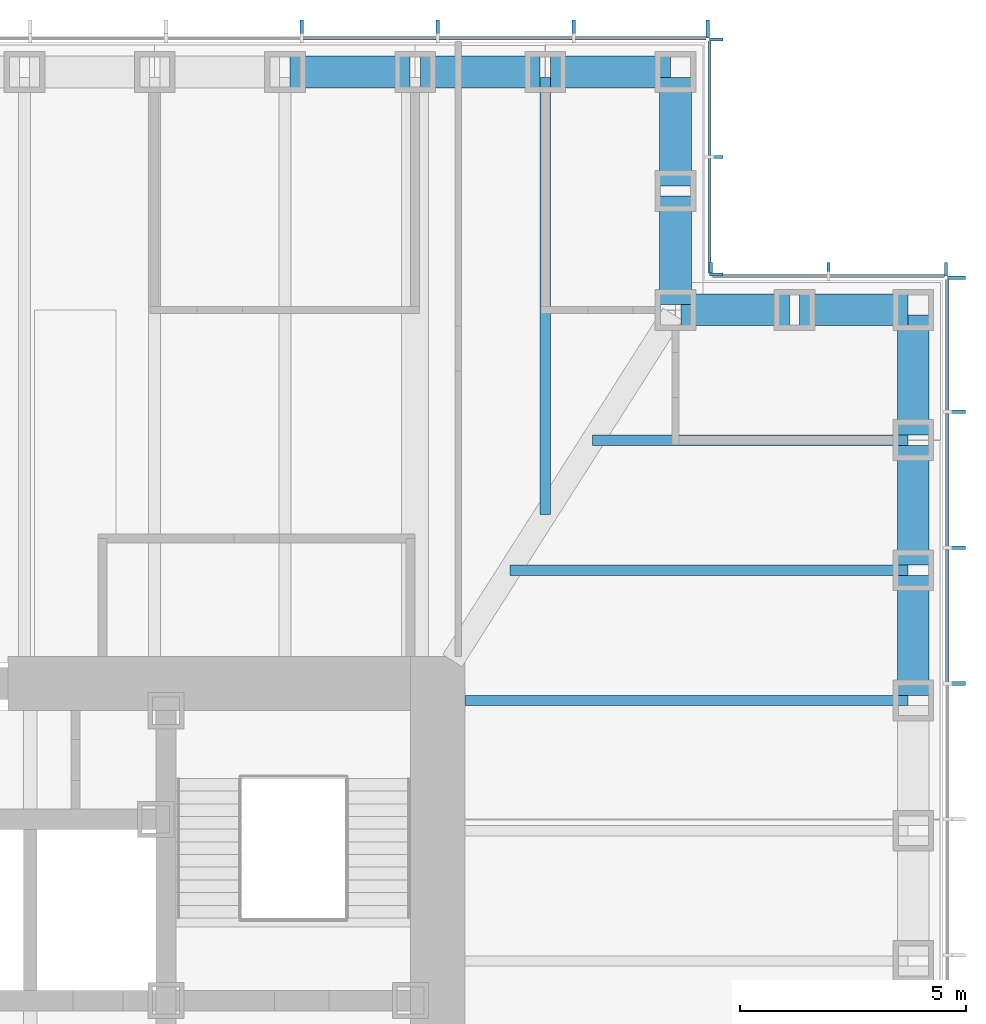
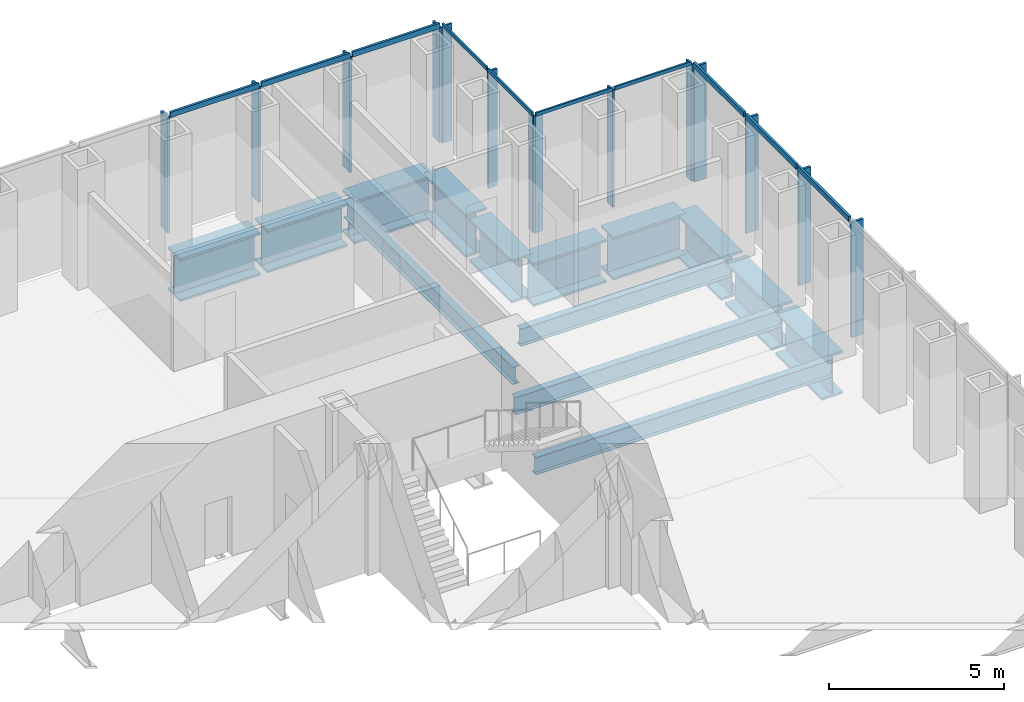
# One storey, part 6 of 17: 24 members, 14 beams, 4 elements without a shape of their own.
"""IFC4 building model written with IfcOpenShell, lengths in metres."""

from ifc_helpers import new_model, si_unit, direction, frame, origin, origin_2d, place, context, subcontext, project, spatial, rectangle, i_section, extrude, material, material_profile, profile_set, type_object, element, aggregate, save


model = new_model("IFC4")

# Units and contexts
model_context = context("Model", 3, precision=1e-05, world=origin(), true_north=direction((0.0, 1.0)))
body_context = subcontext(model_context, "Body", "Model", "MODEL_VIEW")
ifc_project = project(units=[si_unit("LENGTHUNIT", "METRE"), si_unit("AREAUNIT", "SQUARE_METRE"), si_unit("VOLUMEUNIT", "CUBIC_METRE"), si_unit("PLANEANGLEUNIT", "RADIAN"), si_unit("MASSUNIT", "GRAM", prefix="KILO")], contexts=[model_context])

# Site, building, storey
site_placement = place(None, origin())
site = spatial("IfcSite", under=ifc_project, at=site_placement, CompositionType="ELEMENT")
building_placement = place(site_placement, origin())
building = spatial("IfcBuilding", under=site, at=building_placement, Name="Daluyong Arena Tower", CompositionType="ELEMENT")
storey_placement = place(building_placement, frame((0.0, 0.0, 145.89990234375)))
storey = spatial("IfcBuildingStorey", under=building, at=storey_placement, Name="L32", CompositionType="ELEMENT", Elevation=145.89990234375)

# Curtain wall, members
ifc_material_1 = material(Name="Bronze anodised aluminium and glass", Category="aluminium")
curtain_wall_type_1 = type_object("IfcCurtainWallType", Name="Curtain wall CW2", PredefinedType="USERDEFINED", material=ifc_material_1)
curtain_wall_1_placement = place(storey_placement, origin())
curtain_wall_1 = element("IfcCurtainWall", 1, at=curtain_wall_1_placement, inside=storey, type_object=curtain_wall_type_1, Name="curtain wall L32 E", ObjectType="UNITISED CURTAIN WALL", PredefinedType="USERDEFINED")
ifc_material_2 = material(Name="Bronze anodised aluminium fin", Category="aluminium")
ifc_material_profile_1 = material_profile(ifc_material_2, rectangle(XDim=0.39990234375, YDim=0.080078125, at=origin_2d()))
ifc_profile_set_1 = profile_set([ifc_material_profile_1], Name="Bronze anodised aluminium fin")
member_type_1 = type_object("IfcMemberType", Name="CW2 bronze fin 400x80", PredefinedType="MULLION", material=ifc_profile_set_1)
member_1_placement = place(storey_placement, frame((79.449951171875, 89.0, 0.0), z_axis=(0.0, 0.0, 1.0), x_axis=(-1.0, 0.0, 0.0)))
member_1 = element("IfcMember", 2, at=member_1_placement, type_object=member_type_1, Name="curtain wall L32 E fin 10", PredefinedType="MULLION", context=body_context, shape_type="SweptSolid", body=[
    extrude(rectangle(XDim=0.39990234375, YDim=0.080078125, at=origin_2d()), origin(), (0.0, 0.0, 1.0), 4.02001953125),
])
member_2_placement = place(storey_placement, frame((79.449951171875, 92.0, 0.0), z_axis=(0.0, 0.0, 1.0), x_axis=(-1.0, 0.0, 0.0)))
member_2 = element("IfcMember", 3, at=member_2_placement, type_object=member_type_1, Name="curtain wall L32 E fin 11", PredefinedType="MULLION", context=body_context, shape_type="SweptSolid", body=[
    extrude(rectangle(XDim=0.39990234375, YDim=0.080078125, at=origin_2d()), origin(), (0.0, 0.0, 1.0), 4.02001953125),
])
member_3_placement = place(storey_placement, frame((79.449951171875, 95.0, 0.0), z_axis=(0.0, 0.0, 1.0), x_axis=(-1.0, 0.0, 0.0)))
member_3 = element("IfcMember", 4, at=member_3_placement, type_object=member_type_1, Name="curtain wall L32 E fin 12", PredefinedType="MULLION", context=body_context, shape_type="SweptSolid", body=[
    extrude(rectangle(XDim=0.39990234375, YDim=0.080078125, at=origin_2d()), origin(), (0.0, 0.0, 1.0), 4.02001953125),
])
member_4_placement = place(storey_placement, frame((79.449951171875, 97.9599609375, 0.0), z_axis=(0.0, 0.0, 1.0), x_axis=(-1.0, 0.0, 0.0)))
member_4 = element("IfcMember", 5, at=member_4_placement, type_object=member_type_1, Name="curtain wall L32 E fin 13", PredefinedType="MULLION", context=body_context, shape_type="SweptSolid", body=[
    extrude(rectangle(XDim=0.39990234375, YDim=0.080078125, at=origin_2d()), origin(), (0.0, 0.0, 1.0), 4.02001953125),
])

curtain_wall_2_placement = place(storey_placement, origin())
curtain_wall_2 = element("IfcCurtainWall", 6, at=curtain_wall_2_placement, inside=storey, type_object=curtain_wall_type_1, Name="curtain wall L32 N", ObjectType="UNITISED CURTAIN WALL", PredefinedType="USERDEFINED")
member_5_placement = place(storey_placement, frame((73.9599609375, 103.449951171875, 0.0), z_axis=(0.0, 0.0, 1.0), x_axis=(0.0, -1.0, 0.0)))
member_5 = element("IfcMember", 7, at=member_5_placement, type_object=member_type_1, Name="curtain wall L32 N fin 1", PredefinedType="MULLION", context=body_context, shape_type="SweptSolid", body=[
    extrude(rectangle(XDim=0.39990234375, YDim=0.080078125, at=origin_2d()), origin(), (0.0, 0.0, 1.0), 4.02001953125),
])
member_6_placement = place(storey_placement, frame((71.0, 103.449951171875, 0.0), z_axis=(0.0, 0.0, 1.0), x_axis=(0.0, -1.0, 0.0)))
member_6 = element("IfcMember", 8, at=member_6_placement, type_object=member_type_1, Name="curtain wall L32 N fin 2", PredefinedType="MULLION", context=body_context, shape_type="SweptSolid", body=[
    extrude(rectangle(XDim=0.39990234375, YDim=0.080078125, at=origin_2d()), origin(), (0.0, 0.0, 1.0), 4.02001953125),
])
member_7_placement = place(storey_placement, frame((68.0, 103.449951171875, 0.0), z_axis=(0.0, 0.0, 1.0), x_axis=(0.0, -1.0, 0.0)))
member_7 = element("IfcMember", 9, at=member_7_placement, type_object=member_type_1, Name="curtain wall L32 N fin 3", PredefinedType="MULLION", context=body_context, shape_type="SweptSolid", body=[
    extrude(rectangle(XDim=0.39990234375, YDim=0.080078125, at=origin_2d()), origin(), (0.0, 0.0, 1.0), 4.02001953125),
])
member_8_placement = place(storey_placement, frame((65.0, 103.449951171875, 0.0), z_axis=(0.0, 0.0, 1.0), x_axis=(0.0, -1.0, 0.0)))
member_8 = element("IfcMember", 10, at=member_8_placement, type_object=member_type_1, Name="curtain wall L32 N fin 4", PredefinedType="MULLION", context=body_context, shape_type="SweptSolid", body=[
    extrude(rectangle(XDim=0.39990234375, YDim=0.080078125, at=origin_2d()), origin(), (0.0, 0.0, 1.0), 4.02001953125),
])

# Member
ifc_material_3 = material(Name="Bronze anodised aluminium", Category="aluminium")
ifc_material_profile_2 = material_profile(ifc_material_3, rectangle(XDim=0.080078125, YDim=0.179931640625, at=origin_2d()))
ifc_profile_set_2 = profile_set([ifc_material_profile_2], Name="Bronze anodised aluminium")
member_type_2 = type_object("IfcMemberType", Name="CW2 stack transom 180x80", PredefinedType="USERDEFINED", material=ifc_profile_set_2)
member_9_placement = place(storey_placement, frame((79.25, 89.0400390625, 4.110107421875), z_axis=(0.0, 1.0, 0.0), x_axis=(-1.0, 0.0, 0.0)))
member_9 = element("IfcMember", 11, at=member_9_placement, type_object=member_type_2, Name="curtain wall L32 E transom 10", ObjectType="TRANSOM", PredefinedType="USERDEFINED", context=body_context, shape_type="SweptSolid", body=[
    extrude(rectangle(XDim=0.080078125, YDim=0.179931640625, at=origin_2d()), origin(), (0.0, 0.0, 1.0), 2.919921875),
])

member_10_placement = place(storey_placement, frame((79.25, 92.0400390625, 4.110107421875), z_axis=(0.0, 1.0, 0.0), x_axis=(-1.0, 0.0, 0.0)))
member_10 = element("IfcMember", 12, at=member_10_placement, type_object=member_type_2, Name="curtain wall L32 E transom 11", ObjectType="TRANSOM", PredefinedType="USERDEFINED", context=body_context, shape_type="SweptSolid", body=[
    extrude(rectangle(XDim=0.080078125, YDim=0.179931640625, at=origin_2d()), origin(), (0.0, 0.0, 1.0), 2.919921875),
])

member_11_placement = place(storey_placement, frame((79.25, 95.0400390625, 4.110107421875), z_axis=(0.0, 1.0, 0.0), x_axis=(-1.0, 0.0, 0.0)))
member_11 = element("IfcMember", 13, at=member_11_placement, type_object=member_type_2, Name="curtain wall L32 E transom 12", ObjectType="TRANSOM", PredefinedType="USERDEFINED", context=body_context, shape_type="SweptSolid", body=[
    extrude(rectangle(XDim=0.080078125, YDim=0.179931640625, at=origin_2d()), origin(), (0.0, 0.0, 1.0), 2.8798828125),
])

aggregate(curtain_wall_1, [member_1, member_2, member_3, member_4, member_9, member_10, member_11])

member_12_placement = place(storey_placement, frame((73.919921875, 103.25, 4.110107421875), z_axis=(-1.0, 0.0, 0.0), x_axis=(0.0, -1.0, 0.0)))
member_12 = element("IfcMember", 14, at=member_12_placement, type_object=member_type_2, Name="curtain wall L32 N transom 1", ObjectType="TRANSOM", PredefinedType="USERDEFINED", context=body_context, shape_type="SweptSolid", body=[
    extrude(rectangle(XDim=0.080078125, YDim=0.179931640625, at=origin_2d()), origin(), (0.0, 0.0, 1.0), 2.8798828125),
])

member_13_placement = place(storey_placement, frame((70.9599609375, 103.25, 4.110107421875), z_axis=(-1.0, 0.0, 0.0), x_axis=(0.0, -1.0, 0.0)))
member_13 = element("IfcMember", 15, at=member_13_placement, type_object=member_type_2, Name="curtain wall L32 N transom 2", ObjectType="TRANSOM", PredefinedType="USERDEFINED", context=body_context, shape_type="SweptSolid", body=[
    extrude(rectangle(XDim=0.080078125, YDim=0.179931640625, at=origin_2d()), origin(), (0.0, 0.0, 1.0), 2.919921875),
])

member_14_placement = place(storey_placement, frame((67.9599609375, 103.25, 4.110107421875), z_axis=(-1.0, 0.0, 0.0), x_axis=(0.0, -1.0, 0.0)))
member_14 = element("IfcMember", 16, at=member_14_placement, type_object=member_type_2, Name="curtain wall L32 N transom 3", ObjectType="TRANSOM", PredefinedType="USERDEFINED", context=body_context, shape_type="SweptSolid", body=[
    extrude(rectangle(XDim=0.080078125, YDim=0.179931640625, at=origin_2d()), origin(), (0.0, 0.0, 1.0), 2.919921875),
])

aggregate(curtain_wall_2, [member_5, member_6, member_7, member_8, member_12, member_13, member_14])

# Curtain wall, members
ifc_material_4 = material(Name="Bronze anodised aluminium and glass", Category="aluminium")
curtain_wall_type_2 = type_object("IfcCurtainWallType", Name="Curtain wall CW7", PredefinedType="USERDEFINED", material=ifc_material_4)
curtain_wall_3_placement = place(storey_placement, origin())
curtain_wall_3 = element("IfcCurtainWall", 17, at=curtain_wall_3_placement, inside=storey, type_object=curtain_wall_type_2, Name="curtain wall L32 NE-N", ObjectType="UNITISED CURTAIN WALL", PredefinedType="USERDEFINED")
ifc_material_5 = material(Name="Bronze anodised aluminium fin", Category="aluminium")
ifc_material_profile_3 = material_profile(ifc_material_5, rectangle(XDim=0.300048828125, YDim=0.06005859375, at=origin_2d()))
ifc_profile_set_3 = profile_set([ifc_material_profile_3], Name="Bronze anodised aluminium fin")
member_type_3 = type_object("IfcMemberType", Name="CW7 bronze fin 300x60", PredefinedType="MULLION", material=ifc_profile_set_3)
member_15_placement = place(storey_placement, frame((79.219970703125, 98.14990234375, 0.0), z_axis=(0.0, 0.0, 1.0), x_axis=(0.0, -1.0, 0.0)))
member_15 = element("IfcMember", 18, at=member_15_placement, type_object=member_type_3, Name="curtain wall L32 NE-N fin 1", PredefinedType="MULLION", context=body_context, shape_type="SweptSolid", body=[
    extrude(rectangle(XDim=0.300048828125, YDim=0.06005859375, at=origin_2d()), origin(), (0.0, 0.0, 1.0), 4.080078125),
])
member_16_placement = place(storey_placement, frame((76.625, 98.14990234375, 0.0), z_axis=(0.0, 0.0, 1.0), x_axis=(0.0, -1.0, 0.0)))
member_16 = element("IfcMember", 19, at=member_16_placement, type_object=member_type_3, Name="curtain wall L32 NE-N fin 2", PredefinedType="MULLION", context=body_context, shape_type="SweptSolid", body=[
    extrude(rectangle(XDim=0.300048828125, YDim=0.06005859375, at=origin_2d()), origin(), (0.0, 0.0, 1.0), 4.080078125),
])
member_17_placement = place(storey_placement, frame((74.030029296875, 98.14990234375, 0.0), z_axis=(0.0, 0.0, 1.0), x_axis=(0.0, -1.0, 0.0)))
member_17 = element("IfcMember", 20, at=member_17_placement, type_object=member_type_3, Name="curtain wall L32 NE-N fin 3", PredefinedType="MULLION", context=body_context, shape_type="SweptSolid", body=[
    extrude(rectangle(XDim=0.300048828125, YDim=0.06005859375, at=origin_2d()), origin(), (0.0, 0.0, 1.0), 4.080078125),
])

curtain_wall_4_placement = place(storey_placement, origin())
curtain_wall_4 = element("IfcCurtainWall", 21, at=curtain_wall_4_placement, inside=storey, type_object=curtain_wall_type_2, Name="curtain wall L32 NE-E", ObjectType="UNITISED CURTAIN WALL", PredefinedType="USERDEFINED")
member_18_placement = place(storey_placement, frame((74.14990234375, 98.030029296875, 0.0), z_axis=(0.0, 0.0, 1.0), x_axis=(-1.0, 0.0, 0.0)))
member_18 = element("IfcMember", 22, at=member_18_placement, type_object=member_type_3, Name="curtain wall L32 NE-E fin 1", PredefinedType="MULLION", context=body_context, shape_type="SweptSolid", body=[
    extrude(rectangle(XDim=0.300048828125, YDim=0.06005859375, at=origin_2d()), origin(), (0.0, 0.0, 1.0), 4.080078125),
])
member_19_placement = place(storey_placement, frame((74.14990234375, 100.625, 0.0), z_axis=(0.0, 0.0, 1.0), x_axis=(-1.0, 0.0, 0.0)))
member_19 = element("IfcMember", 23, at=member_19_placement, type_object=member_type_3, Name="curtain wall L32 NE-E fin 2", PredefinedType="MULLION", context=body_context, shape_type="SweptSolid", body=[
    extrude(rectangle(XDim=0.300048828125, YDim=0.06005859375, at=origin_2d()), origin(), (0.0, 0.0, 1.0), 4.080078125),
])
member_20_placement = place(storey_placement, frame((74.14990234375, 103.219970703125, 0.0), z_axis=(0.0, 0.0, 1.0), x_axis=(-1.0, 0.0, 0.0)))
member_20 = element("IfcMember", 24, at=member_20_placement, type_object=member_type_3, Name="curtain wall L32 NE-E fin 3", PredefinedType="MULLION", context=body_context, shape_type="SweptSolid", body=[
    extrude(rectangle(XDim=0.300048828125, YDim=0.06005859375, at=origin_2d()), origin(), (0.0, 0.0, 1.0), 4.080078125),
])

# Member
ifc_material_6 = material(Name="Bronze anodised aluminium", Category="aluminium")
ifc_material_profile_4 = material_profile(ifc_material_6, rectangle(XDim=0.06005859375, YDim=0.1201171875, at=origin_2d()))
ifc_profile_set_4 = profile_set([ifc_material_profile_4], Name="Bronze anodised aluminium")
member_type_4 = type_object("IfcMemberType", Name="CW7 stack transom 120x60", PredefinedType="USERDEFINED", material=ifc_profile_set_4)
member_21_placement = place(storey_placement, frame((79.18994140625, 98.0, 4.14013671875), z_axis=(-1.0, 0.0, 0.0), x_axis=(0.0, -1.0, 0.0)))
member_21 = element("IfcMember", 25, at=member_21_placement, type_object=member_type_4, Name="curtain wall L32 NE-N transom 1", ObjectType="TRANSOM", PredefinedType="USERDEFINED", context=body_context, shape_type="SweptSolid", body=[
    extrude(rectangle(XDim=0.06005859375, YDim=0.1201171875, at=origin_2d()), origin(), (0.0, 0.0, 1.0), 2.534912109375),
])

member_22_placement = place(storey_placement, frame((76.594970703125, 98.0, 4.14013671875), z_axis=(-1.0, 0.0, 0.0), x_axis=(0.0, -1.0, 0.0)))
member_22 = element("IfcMember", 26, at=member_22_placement, type_object=member_type_4, Name="curtain wall L32 NE-N transom 2", ObjectType="TRANSOM", PredefinedType="USERDEFINED", context=body_context, shape_type="SweptSolid", body=[
    extrude(rectangle(XDim=0.06005859375, YDim=0.1201171875, at=origin_2d()), origin(), (0.0, 0.0, 1.0), 2.534912109375),
])

aggregate(curtain_wall_3, [member_15, member_16, member_17, member_21, member_22])

member_23_placement = place(storey_placement, frame((74.0, 98.06005859375, 4.14013671875), z_axis=(0.0, 1.0, 0.0), x_axis=(-1.0, 0.0, 0.0)))
member_23 = element("IfcMember", 27, at=member_23_placement, type_object=member_type_4, Name="curtain wall L32 NE-E transom 1", ObjectType="TRANSOM", PredefinedType="USERDEFINED", context=body_context, shape_type="SweptSolid", body=[
    extrude(rectangle(XDim=0.06005859375, YDim=0.1201171875, at=origin_2d()), origin(), (0.0, 0.0, 1.0), 2.534912109375),
])

member_24_placement = place(storey_placement, frame((74.0, 100.655029296875, 4.14013671875), z_axis=(0.0, 1.0, 0.0), x_axis=(-1.0, 0.0, 0.0)))
member_24 = element("IfcMember", 28, at=member_24_placement, type_object=member_type_4, Name="curtain wall L32 NE-E transom 2", ObjectType="TRANSOM", PredefinedType="USERDEFINED", context=body_context, shape_type="SweptSolid", body=[
    extrude(rectangle(XDim=0.06005859375, YDim=0.1201171875, at=origin_2d()), origin(), (0.0, 0.0, 1.0), 2.534912109375),
])

aggregate(curtain_wall_4, [member_18, member_19, member_20, member_23, member_24])

# Beams
ifc_material_7 = material(Name="Steel ASTM A992 Grade 50", Category="steel")
ifc_material_profile_5 = material_profile(ifc_material_7, i_section(OverallWidth=0.22900390625, OverallDepth=0.612060546875, WebThickness=0.011962890625, FlangeThickness=0.01953125, at=origin_2d()))
ifc_profile_set_5 = profile_set([ifc_material_profile_5], Name="Steel ASTM A992 Grade 50")
beam_type_1 = type_object("IfcBeamType", Name="Floor beam W24X84", PredefinedType="BEAM", material=ifc_profile_set_5)
beam_1_placement = place(storey_placement, frame((78.385009765625, 88.625, -0.466064453125), z_axis=(-1.0, 0.0, 0.0), x_axis=(0.0, -1.0, 0.0)))
element("IfcBeam", 29, at=beam_1_placement, inside=storey, type_object=beam_type_1, Name="floor beam FB3", PredefinedType="BEAM", context=body_context, shape_type="SweptSolid", body=[
    extrude(i_section(OverallWidth=0.22900390625, OverallDepth=0.612060546875, WebThickness=0.011962890625, FlangeThickness=0.01953125, at=origin_2d()), origin(), (0.0, 0.0, 1.0), 9.784912109375),
])
beam_2_placement = place(storey_placement, frame((78.385009765625, 91.5, -0.466064453125), z_axis=(-1.0, 0.0, 0.0), x_axis=(0.0, -1.0, 0.0)))
element("IfcBeam", 30, at=beam_2_placement, inside=storey, type_object=beam_type_1, Name="floor beam FB3", PredefinedType="BEAM", context=body_context, shape_type="SweptSolid", body=[
    extrude(i_section(OverallWidth=0.22900390625, OverallDepth=0.612060546875, WebThickness=0.011962890625, FlangeThickness=0.01953125, at=origin_2d()), origin(), (0.0, 0.0, 1.0), 8.794189453125),
])
beam_3_placement = place(storey_placement, frame((78.385009765625, 94.375, -0.466064453125), z_axis=(-1.0, 0.0, 0.0), x_axis=(0.0, -1.0, 0.0)))
element("IfcBeam", 31, at=beam_3_placement, inside=storey, type_object=beam_type_1, Name="floor beam FB3", PredefinedType="BEAM", context=body_context, shape_type="SweptSolid", body=[
    extrude(i_section(OverallWidth=0.22900390625, OverallDepth=0.612060546875, WebThickness=0.011962890625, FlangeThickness=0.01953125, at=origin_2d()), origin(), (0.0, 0.0, 1.0), 6.964599609375),
])
beam_4_placement = place(storey_placement, frame((70.375, 102.385009765625, -0.466064453125), z_axis=(0.0, -1.0, 0.0), x_axis=(1.0, 0.0, 0.0)))
element("IfcBeam", 32, at=beam_4_placement, inside=storey, type_object=beam_type_1, Name="floor beam FB3", PredefinedType="BEAM", context=body_context, shape_type="SweptSolid", body=[
    extrude(i_section(OverallWidth=0.22900390625, OverallDepth=0.612060546875, WebThickness=0.011962890625, FlangeThickness=0.01953125, at=origin_2d()), origin(), (0.0, 0.0, 1.0), 9.65283203125),
])
ifc_material_8 = material(Name="Steel ASTM A572 Grade 50", Category="steel")
ifc_material_profile_6 = material_profile(ifc_material_8, i_section(OverallWidth=0.699951171875, OverallDepth=1.5, WebThickness=0.04, FlangeThickness=0.08, at=origin_2d()))
ifc_profile_set_6 = profile_set([ifc_material_profile_6], Name="Steel ASTM A572 Grade 50")
beam_type_2 = type_object("IfcBeamType", Name="Spandrel Z2 PG1500X700", PredefinedType="SPANDREL", material=ifc_profile_set_6)
for number, where, z_axis, x_axis, name in (
    (33, (78.5, 88.739990234375, -0.909912109375), (0.0, 1.0, 0.0), (-1.0, 0.0, 0.0), "spandrel z2 SB6"),
    (34, (78.5, 91.614990234375, -0.909912109375), (0.0, 1.0, 0.0), (-1.0, 0.0, 0.0), "spandrel z2 SB6"),
    (35, (78.5, 94.489990234375, -0.909912109375), (0.0, 1.0, 0.0), (-1.0, 0.0, 0.0), "spandrel z2 SB6"),
):
    element("IfcBeam", number, at=place(storey_placement, frame(where, z_axis=z_axis, x_axis=x_axis)), inside=storey, type_object=beam_type_2, Name=name, PredefinedType="SPANDREL", context=body_context, shape_type="SweptSolid", body=[
        extrude(i_section(OverallWidth=0.699951171875, OverallDepth=1.5, WebThickness=0.04, FlangeThickness=0.08, at=origin_2d()), origin(), (0.0, 0.0, 1.0), 2.64501953125),
    ])
for number, where, z_axis, x_axis, name in (
    (36, (78.385009765625, 97.25, -0.909912109375), (-1.0, 0.0, 0.0), (0.0, -1.0, 0.0), "spandrel z2 SB6"),
    (37, (75.760009765625, 97.25, -0.909912109375), (-1.0, 0.0, 0.0), (0.0, -1.0, 0.0), "spandrel z2 SB6"),
    (38, (73.25, 97.364990234375, -0.909912109375), (0.0, 1.0, 0.0), (-1.0, 0.0, 0.0), "spandrel z2 SB6"),
    (39, (73.25, 99.989990234375, -0.909912109375), (0.0, 1.0, 0.0), (-1.0, 0.0, 0.0), "spandrel z2 SB6"),
):
    element("IfcBeam", number, at=place(storey_placement, frame(where, z_axis=z_axis, x_axis=x_axis)), inside=storey, type_object=beam_type_2, Name=name, PredefinedType="SPANDREL", context=body_context, shape_type="SweptSolid", body=[
        extrude(i_section(OverallWidth=0.699951171875, OverallDepth=1.5, WebThickness=0.04, FlangeThickness=0.08, at=origin_2d()), origin(), (0.0, 0.0, 1.0), 2.39501953125),
    ])
for number, where, z_axis, x_axis, name in (
    (40, (73.135009765625, 102.5, -0.909912109375), (-1.0, 0.0, 0.0), (0.0, -1.0, 0.0), "spandrel z2 SB6"),
    (41, (70.260009765625, 102.5, -0.909912109375), (-1.0, 0.0, 0.0), (0.0, -1.0, 0.0), "spandrel z2 SB6"),
    (42, (67.385009765625, 102.5, -0.909912109375), (-1.0, 0.0, 0.0), (0.0, -1.0, 0.0), "spandrel z2 SB6"),
):
    element("IfcBeam", number, at=place(storey_placement, frame(where, z_axis=z_axis, x_axis=x_axis)), inside=storey, type_object=beam_type_2, Name=name, PredefinedType="SPANDREL", context=body_context, shape_type="SweptSolid", body=[
        extrude(i_section(OverallWidth=0.699951171875, OverallDepth=1.5, WebThickness=0.04, FlangeThickness=0.08, at=origin_2d()), origin(), (0.0, 0.0, 1.0), 2.64501953125),
    ])

save(model, "model.ifc")
